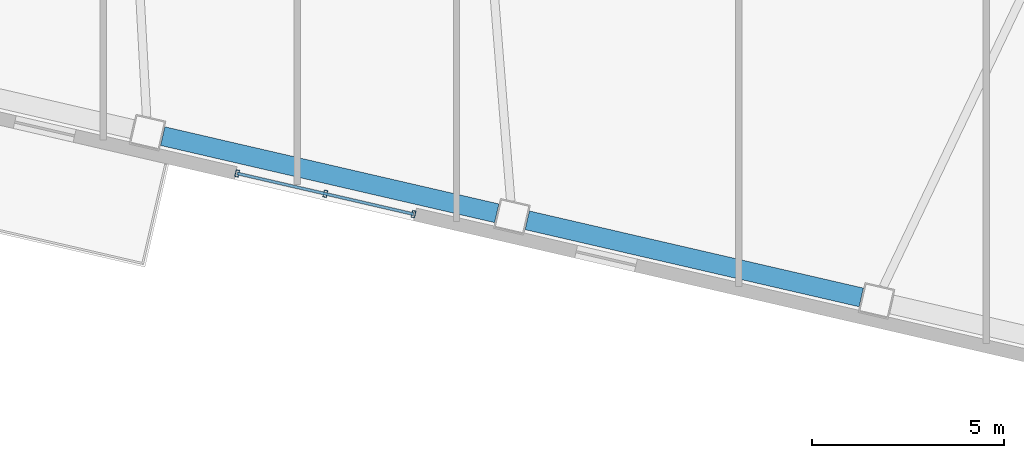
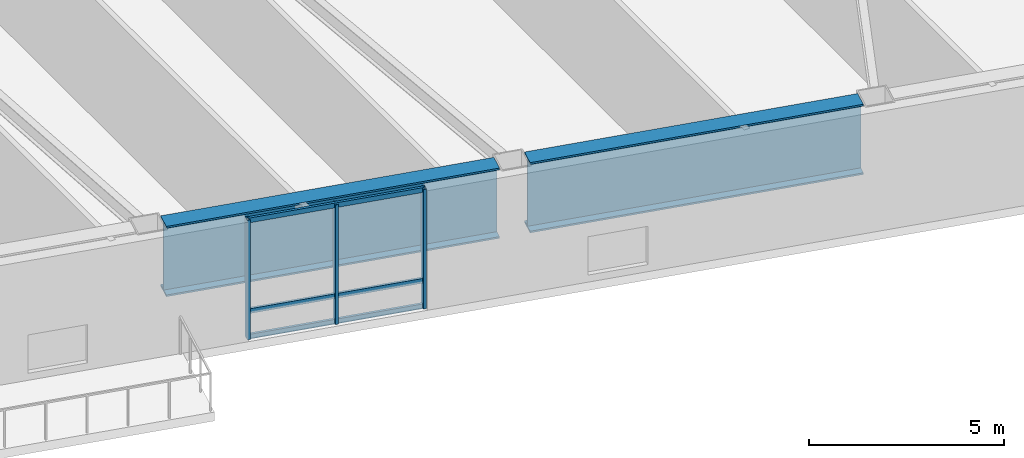
# One storey, part 4 of 21: 6 members, 2 beams, 1 element without a shape of its own.
"""IFC4 building model written with IfcOpenShell, lengths in metres."""

import ifcopenshell
import ifcopenshell.guid

model = None  # the IFC model being written
_history = None  # IfcOwnerHistory: only IFC2X3 demands one
_inside = {}  # id of a spatial element -> (the spatial element, [elements in it])
_under = {}  # id of a project, library or spatial element -> (it, [spatial elements below it])
_declared = {}  # id of a project -> (the project, [libraries it declares])
_typed = {}  # id of a type object -> (the type object, [elements of that type])
_made_of = {}  # id of a material, layer set ... -> (it, [elements and type objects made of it])


def new_model(schema):
    """Start an empty IFC model of exactly this schema.

    Asked for "IFC4X3", IfcOpenShell would pick the latest addendum, in which some entities
    have other attributes; the version numbers below select the first issue.
    IFC2X3 requires an IfcOwnerHistory on every rooted entity: one is made here for all.
    """
    global model, _history
    if schema == "IFC4X3":
        model = ifcopenshell.file(schema_version=(4, 3, 0, 0))
    else:
        model = ifcopenshell.file(schema=schema)
    _inside.clear()
    _under.clear()
    _declared.clear()
    _typed.clear()
    _made_of.clear()
    _history = None
    if model.schema == "IFC2X3":
        org = make("IfcOrganization", Name="unknown")
        user = make(
            "IfcPersonAndOrganization",
            ThePerson=make("IfcPerson", FamilyName="unknown"),
            TheOrganization=org,
        )
        app = make(
            "IfcApplication",
            ApplicationDeveloper=org,
            Version="unknown",
            ApplicationFullName="unknown",
            ApplicationIdentifier="unknown",
        )
        _history = make(
            "IfcOwnerHistory",
            OwningUser=user,
            OwningApplication=app,
            ChangeAction="ADDED",
            CreationDate=0,
        )
    return model


def make(cls, **values):
    """One entity of the class cls with the attributes given. An attribute that is None is left unset."""
    return model.create_entity(
        cls, **{name: value for name, value in values.items() if value is not None}
    )


def rooted(cls, **values):
    """An entity with a GlobalId (a new one), such as an element, a storey or a relation."""
    return make(cls, GlobalId=ifcopenshell.guid.new(), OwnerHistory=_history, **values)


def si_unit(unit_type, name, prefix=None):
    """IfcSIUnit, for example si_unit("LENGTHUNIT", "METRE", prefix="MILLI")."""
    return make("IfcSIUnit", UnitType=unit_type, Prefix=prefix, Name=name)


def assignment(units):
    """IfcUnitAssignment: the units of a project."""
    return None if units is None else make("IfcUnitAssignment", Units=units)


def point(xyz):
    """IfcCartesianPoint."""
    return None if xyz is None else make("IfcCartesianPoint", Coordinates=xyz)


def direction(xyz):
    """IfcDirection."""
    return None if xyz is None else make("IfcDirection", DirectionRatios=xyz)


def frame(location, z_axis=None, x_axis=None):
    """IfcAxis2Placement3D, a coordinate frame: its origin and axes. An axis left out is left unset."""
    return make(
        "IfcAxis2Placement3D",
        Location=point(location),
        Axis=direction(z_axis),
        RefDirection=direction(x_axis),
    )


def frame_2d(location, x_axis=None):
    """IfcAxis2Placement2D, a coordinate frame in the plane: its origin and x axis."""
    return make(
        "IfcAxis2Placement2D", Location=point(location), RefDirection=direction(x_axis)
    )


def origin():
    """The frame at (0, 0, 0) with its axes left unset."""
    return frame((0.0, 0.0, 0.0))


def origin_2d():
    """The frame at (0, 0) in the plane with its x axis left unset."""
    return frame_2d((0.0, 0.0))


def place(relative_to, where):
    """IfcLocalPlacement: puts the frame where relative to a parent placement (None: the world)."""
    return make(
        "IfcLocalPlacement", PlacementRelTo=relative_to, RelativePlacement=where
    )


def context(
    kind, dimensions, precision=None, world=None, true_north=None, identifier=None
):
    """IfcGeometricRepresentationContext, for example the 3D "Model" context."""
    return make(
        "IfcGeometricRepresentationContext",
        ContextIdentifier=identifier,
        ContextType=kind,
        CoordinateSpaceDimension=dimensions,
        Precision=precision,
        WorldCoordinateSystem=world,
        TrueNorth=true_north,
    )


def subcontext(parent, identifier, kind, view, scale=None):
    """IfcGeometricRepresentationSubContext, for example "Body" below "Model"."""
    return make(
        "IfcGeometricRepresentationSubContext",
        ContextIdentifier=identifier,
        ContextType=kind,
        ParentContext=parent,
        TargetScale=scale,
        TargetView=view,
    )


def project(units=None, contexts=None):
    """IfcProject with its units and contexts."""
    return rooted(
        "IfcProject",
        Name="project",
        RepresentationContexts=contexts,
        UnitsInContext=assignment(units),
    )


def spatial(cls, under=None, at=None, **own):
    """A site, building, storey or space (cls), placed at a placement, below another one or the project."""
    s = rooted(cls, ObjectPlacement=at, **own)
    if under is not None:
        _under.setdefault(under.id(), (under, []))[1].append(s)
    return s


def profile(cls, at=None, kind="AREA", **sizes):
    """A parametric profile (cls). Its sizes go by their IFC names, for example OverallWidth=200.0."""
    return make(cls, ProfileType=kind, Position=at, **sizes)


def hollow_rectangle(**sizes):
    """IfcRectangleHollowProfileDef."""
    return profile("IfcRectangleHollowProfileDef", **sizes)


def i_section(**sizes):
    """IfcIShapeProfileDef."""
    return profile("IfcIShapeProfileDef", **sizes)


def extrude(swept, where, along, depth):
    """IfcExtrudedAreaSolid: the profile swept, set in the frame where, extruded along a direction by depth."""
    return make(
        "IfcExtrudedAreaSolid",
        SweptArea=swept,
        Position=where,
        ExtrudedDirection=direction(along),
        Depth=depth,
    )


def shape(context_of_items, identifier, shape_type, items):
    """IfcShapeRepresentation: the items that make up one representation, for example the "Body"."""
    return make(
        "IfcShapeRepresentation",
        ContextOfItems=context_of_items,
        RepresentationIdentifier=identifier,
        RepresentationType=shape_type,
        Items=items,
    )


def material(Name=None, Category=None):
    """IfcMaterial."""
    return make("IfcMaterial", Name=Name, Category=Category)


def layer(
    of_material, thickness, ventilated=None, Name=None, Category=None, Priority=None
):
    """IfcMaterialLayer: one layer of a wall or slab, of a material (None: an air gap)."""
    return make(
        "IfcMaterialLayer",
        Material=of_material,
        LayerThickness=thickness,
        IsVentilated=ventilated,
        Name=Name,
        Category=Category,
        Priority=Priority,
    )


def layer_set(layers, Name=None):
    """IfcMaterialLayerSet."""
    return make("IfcMaterialLayerSet", MaterialLayers=layers, LayerSetName=Name)


def material_profile(
    of_material, cross_section, Name=None, Category=None, Priority=None
):
    """IfcMaterialProfile: a cross section and its material."""
    return make(
        "IfcMaterialProfile",
        Name=Name,
        Material=of_material,
        Profile=cross_section,
        Priority=Priority,
        Category=Category,
    )


def profile_set(profiles, Name=None, composite=None):
    """IfcMaterialProfileSet."""
    return make(
        "IfcMaterialProfileSet",
        Name=Name,
        MaterialProfiles=profiles,
        CompositeProfile=composite,
    )


def made_of(thing, what):
    """Note that an element or type object is made of a material, layer set ...; save() writes the relation."""
    if what is not None:
        _made_of.setdefault(what.id(), (what, []))[1].append(thing)
    return thing


def type_object(cls, material=None, **own):
    """A type object (cls), such as IfcWallType, which elements share."""
    return made_of(rooted(cls, **own), material)


def element(
    cls,
    number,
    at=None,
    inside=None,
    cuts=None,
    type_object=None,
    material=None,
    context=None,
    identifier="Body",
    shape_type=None,
    held_by="IfcProductDefinitionShape",
    body=None,
    shapes=None,
    **own,
):
    """One element of the class cls, such as IfcWall. Its Tag is "e" and its number.

    at: its placement. inside: the storey or other place that contains it. cuts: it is an
    opening in that element (IfcRelVoidsElement). A single representation is given by context,
    identifier, shape_type and body (its items); several are given by shapes. held_by: the class
    of the entity that holds the representations. save() writes the other relations.
    """
    e = rooted(cls, Tag="e%d" % number, ObjectPlacement=at, **own)
    if body is not None:
        shapes = [shape(context, identifier, shape_type, body)]
    if shapes is not None:
        e.Representation = make(held_by, Representations=shapes)
    if inside is not None:
        _inside.setdefault(inside.id(), (inside, []))[1].append(e)
    if cuts is not None:
        rooted(
            "IfcRelVoidsElement", RelatingBuildingElement=cuts, RelatedOpeningElement=e
        )
    if type_object is not None:
        _typed.setdefault(type_object.id(), (type_object, []))[1].append(e)
    return made_of(e, material)


def aggregate(whole, parts):
    """IfcRelAggregates: a whole, such as a stair, and the parts it consists of."""
    return rooted("IfcRelAggregates", RelatingObject=whole, RelatedObjects=parts)


def save(model, path):
    """Write the relations noted so far, then the file.

    IfcRelAggregates (storeys below a building ...), IfcRelContainedInSpatialStructure (elements
    in a storey), IfcRelDefinesByType, IfcRelAssociatesMaterial and IfcRelDeclares: one each for
    every whole, place, type object, material and project.
    """
    for whole, parts in _under.values():
        aggregate(whole, parts)
    for where, things in _inside.values():
        rooted(
            "IfcRelContainedInSpatialStructure",
            RelatedElements=things,
            RelatingStructure=where,
        )
    for kind, things in _typed.values():
        rooted("IfcRelDefinesByType", RelatedObjects=things, RelatingType=kind)
    for what, things in _made_of.values():
        rooted("IfcRelAssociatesMaterial", RelatedObjects=things, RelatingMaterial=what)
    for by, libraries in _declared.values():
        rooted("IfcRelDeclares", RelatingContext=by, RelatedDefinitions=libraries)
    model.write(path)


model = new_model("IFC4")

# Units and contexts
model_context = context("Model", 3, precision=1e-05, world=origin(), true_north=direction((0.0, 1.0)))
body_context = subcontext(model_context, "Body", "Model", "MODEL_VIEW")
ifc_project = project(units=[si_unit("LENGTHUNIT", "METRE"), si_unit("AREAUNIT", "SQUARE_METRE"), si_unit("VOLUMEUNIT", "CUBIC_METRE"), si_unit("PLANEANGLEUNIT", "RADIAN"), si_unit("MASSUNIT", "GRAM", prefix="KILO")], contexts=[model_context])

# Site, building, storey
site_placement = place(None, origin())
site = spatial("IfcSite", under=ifc_project, at=site_placement, CompositionType="ELEMENT")
building_placement = place(site_placement, origin())
building = spatial("IfcBuilding", under=site, at=building_placement, Name="Tavrogorsk Clinical Tower", CompositionType="ELEMENT")
storey_placement = place(building_placement, frame((0.0, 0.0, 59.39990234375)))
storey = spatial("IfcBuildingStorey", under=building, at=storey_placement, Name="L12", CompositionType="ELEMENT", Elevation=59.39990234375)

# Curtain wall, members
ifc_material_1 = material(Name="Anodised aluminium and triple IGU glazing", Category="aluminium")
ifc_layer = layer(ifc_material_1, 0.179931640625)
ifc_layer_set = layer_set([ifc_layer], Name="Anodised aluminium and triple IGU glazing")
curtain_wall_type = type_object("IfcCurtainWallType", Name="CW3_SouthSlot", PredefinedType="NOTDEFINED", material=ifc_layer_set)
curtain_wall_placement = place(storey_placement, origin())
curtain_wall = element("IfcCurtainWall", 1, at=curtain_wall_placement, inside=storey, type_object=curtain_wall_type, Name="L12 Curtain Wall CW-L12-S-SLOT-2", PredefinedType="NOTDEFINED")
ifc_material_2 = material(Name="Anodised aluminium alloy AW-6060", Category="aluminium")
ifc_material_profile_1 = material_profile(ifc_material_2, hollow_rectangle(XDim=0.090087890625, YDim=0.179931640625, WallThickness=0.00634765625, at=origin_2d()), Name="RHS-180x90x6.3")
ifc_profile_set_1 = profile_set([ifc_material_profile_1], Name="Anodised aluminium alloy AW-6060")
member_type_1 = type_object("IfcMemberType", Name="CwMullion_180x90", PredefinedType="MULLION", material=ifc_profile_set_1)
member_1_placement = place(storey_placement, frame((-0.92041015625, -28.240478515625, 0.0), z_axis=(0.0, 0.0, 1.0), x_axis=(0.974370102963, -0.224950888978, 0.0)))
member_1 = element("IfcMember", 2, at=member_1_placement, type_object=member_type_1, Name="CW-L12-S-SLOT-2 Mullion 1", PredefinedType="MULLION", context=body_context, shape_type="SweptSolid", body=[
    extrude(hollow_rectangle(XDim=0.090087890625, YDim=0.179931640625, WallThickness=0.00634765625, at=origin_2d()), origin(), (0.0, 0.0, 1.0), 3.739990234375),
])
member_2_placement = place(storey_placement, frame((1.378173828125, -28.771240234375, 0.0), z_axis=(0.0, 0.0, 1.0), x_axis=(0.974370102963, -0.224950888978, 0.0)))
member_2 = element("IfcMember", 3, at=member_2_placement, type_object=member_type_1, Name="CW-L12-S-SLOT-2 Mullion 2", PredefinedType="MULLION", context=body_context, shape_type="SweptSolid", body=[
    extrude(hollow_rectangle(XDim=0.090087890625, YDim=0.179931640625, WallThickness=0.00634765625, at=origin_2d()), origin(), (0.0, 0.0, 1.0), 3.739990234375),
])
member_3_placement = place(storey_placement, frame((3.6767578125, -29.3017578125, 0.0), z_axis=(0.0, 0.0, 1.0), x_axis=(0.974370102963, -0.224950888978, 0.0)))
member_3 = element("IfcMember", 4, at=member_3_placement, type_object=member_type_1, Name="CW-L12-S-SLOT-2 Mullion 3", PredefinedType="MULLION", context=body_context, shape_type="SweptSolid", body=[
    extrude(hollow_rectangle(XDim=0.090087890625, YDim=0.179931640625, WallThickness=0.00634765625, at=origin_2d()), origin(), (0.0, 0.0, 1.0), 3.739990234375),
])
ifc_material_3 = material(Name="Anodised aluminium alloy AW-6060", Category="aluminium")
ifc_material_profile_2 = material_profile(ifc_material_3, hollow_rectangle(XDim=0.074951171875, YDim=0.14990234375, WallThickness=0.0048828125, at=origin_2d()), Name="RHS-150x75x5")
ifc_profile_set_2 = profile_set([ifc_material_profile_2], Name="Anodised aluminium alloy AW-6060")
member_type_2 = type_object("IfcMemberType", Name="CwTransom_150x75", PredefinedType="USERDEFINED", material=ifc_profile_set_2)
member_4_placement = place(storey_placement, frame((-0.92041015625, -28.240478515625, 0.050048828125), z_axis=(0.974372877948, -0.22493886885, 0.0), x_axis=(0.22493886885, 0.974372877948, 0.0)))
member_4 = element("IfcMember", 5, at=member_4_placement, type_object=member_type_2, Name="CW-L12-S-SLOT-2 Transom 1", ObjectType="TRANSOM", PredefinedType="USERDEFINED", context=body_context, shape_type="SweptSolid", body=[
    extrude(hollow_rectangle(XDim=0.074951171875, YDim=0.14990234375, WallThickness=0.0048828125, at=origin_2d()), origin(), (0.0, 0.0, 1.0), 4.718017578125),
])
member_5_placement = place(storey_placement, frame((-0.92041015625, -28.240478515625, 0.85009765625), z_axis=(0.974372877948, -0.22493886885, 0.0), x_axis=(0.22493886885, 0.974372877948, 0.0)))
member_5 = element("IfcMember", 6, at=member_5_placement, type_object=member_type_2, Name="CW-L12-S-SLOT-2 Transom 2", ObjectType="TRANSOM", PredefinedType="USERDEFINED", context=body_context, shape_type="SweptSolid", body=[
    extrude(hollow_rectangle(XDim=0.074951171875, YDim=0.14990234375, WallThickness=0.0048828125, at=origin_2d()), origin(), (0.0, 0.0, 1.0), 4.718017578125),
])
member_6_placement = place(storey_placement, frame((-0.92041015625, -28.240478515625, 3.690185546875), z_axis=(0.974372877948, -0.22493886885, 0.0), x_axis=(0.22493886885, 0.974372877948, 0.0)))
member_6 = element("IfcMember", 7, at=member_6_placement, type_object=member_type_2, Name="CW-L12-S-SLOT-2 Transom 3", ObjectType="TRANSOM", PredefinedType="USERDEFINED", context=body_context, shape_type="SweptSolid", body=[
    extrude(hollow_rectangle(XDim=0.074951171875, YDim=0.14990234375, WallThickness=0.0048828125, at=origin_2d()), origin(), (0.0, 0.0, 1.0), 4.718017578125),
])
aggregate(curtain_wall, [member_1, member_2, member_3, member_4, member_5, member_6])

# Beams
ifc_material_4 = material(Name="Structural steel S440", Category="steel")
ifc_material_profile_3 = material_profile(ifc_material_4, i_section(OverallWidth=0.5, OverallDepth=2.199951171875, WebThickness=0.035888671875, FlangeThickness=0.054931640625, at=origin_2d()), Name="DK-2200x500x36x55")
ifc_profile_set_3 = profile_set([ifc_material_profile_3], Name="Structural steel S440")
beam_type = type_object("IfcBeamType", Name="TransferGirder_DK2200", PredefinedType="USERDEFINED", material=ifc_profile_set_3)
for number, where, z_axis, x_axis, name in (
    (8, (-2.85888671875, -27.26953125, 2.64013671875), (0.974372766602, -0.224939351168, 0.0), (0.224939351168, 0.974372766602, 0.0), "L12 Perimeter Spandrel S5-S6"),
    (9, (6.639892578125, -29.46240234375, 2.64013671875), (0.974366775889, -0.224965299645, 0.0), (0.224965299645, 0.974366775889, 0.0), "L12 Perimeter Spandrel S6-S7"),
):
    element("IfcBeam", number, at=place(storey_placement, frame(where, z_axis=z_axis, x_axis=x_axis)), inside=storey, type_object=beam_type, Name=name, ObjectType="GIRDER", PredefinedType="USERDEFINED", context=body_context, shape_type="SweptSolid", body=[
        extrude(i_section(OverallWidth=0.5, OverallDepth=2.199951171875, WebThickness=0.035888671875, FlangeThickness=0.054931640625, at=origin_2d()), origin(), (0.0, 0.0, 1.0), 8.9326171875),
    ])

save(model, "model.ifc")
